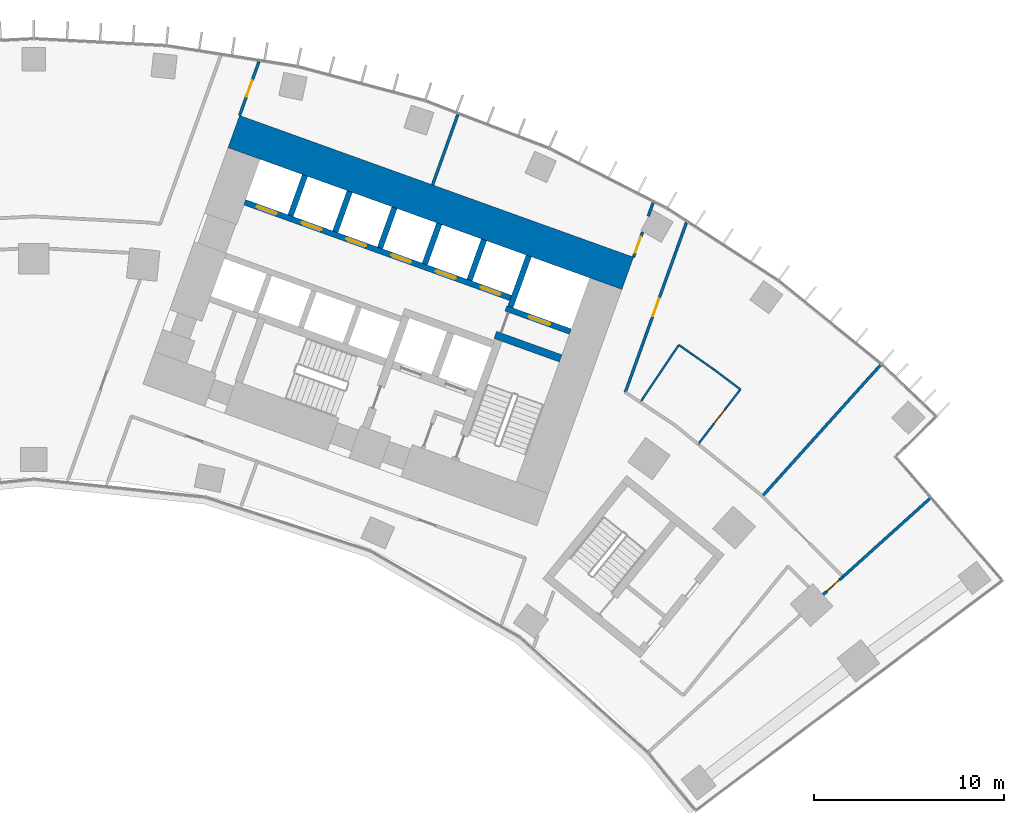
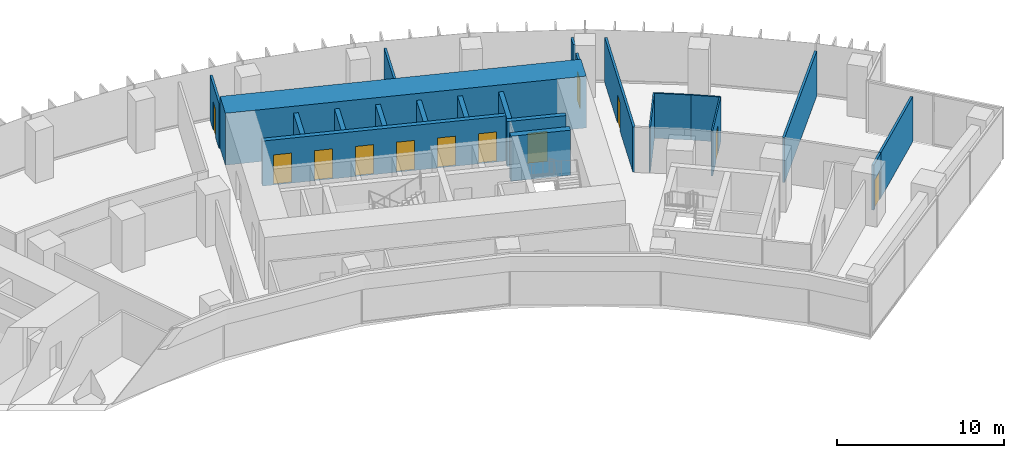
# One storey, part 21 of 24: 22 walls, 12 doors, 12 openings.
"""IFC4 building model written with IfcOpenShell, lengths in metres."""

from ifc_helpers import new_model, si_unit, direction, frame, frame_2d, origin, place, context, subcontext, project, spatial, rectangle, extrude, material, layer, layer_set, type_object, element, fill, save


model = new_model("IFC4")

# Units and contexts
model_context = context("Model", 3, precision=1e-05, world=origin(), true_north=direction((0.0, 1.0)))
body_context = subcontext(model_context, "Body", "Model", "MODEL_VIEW")
ifc_project = project(units=[si_unit("LENGTHUNIT", "METRE"), si_unit("AREAUNIT", "SQUARE_METRE"), si_unit("VOLUMEUNIT", "CUBIC_METRE"), si_unit("PLANEANGLEUNIT", "RADIAN"), si_unit("MASSUNIT", "GRAM", prefix="KILO")], contexts=[model_context])

# Site, building, storey
site_placement = place(None, origin())
site = spatial("IfcSite", under=ifc_project, at=site_placement, CompositionType="ELEMENT")
building_placement = place(site_placement, origin())
building = spatial("IfcBuilding", under=site, at=building_placement, Name="Stone Belt Terrace Tower", CompositionType="ELEMENT")
storey_placement = place(building_placement, frame((0.0, 0.0, 75.60009765625)))
storey = spatial("IfcBuildingStorey", under=building, at=storey_placement, Name="L18", CompositionType="ELEMENT", Elevation=75.60009765625)

# Wall
ifc_material_1 = material(Name="Concrete B80", Category="concrete")
ifc_layer_1 = layer(ifc_material_1, 1.800048828125)
ifc_layer_set_1 = layer_set([ifc_layer_1], Name="Core wall 1800 B80")
wall_type_1 = type_object("IfcWallType", Name="Core wall 1800 B80", PredefinedType="SHEAR", material=ifc_layer_set_1)
wall_1_placement = place(storey_placement, frame((10.509033203125, 61.685546875, 0.0), z_axis=(0.0, 0.0, 1.0), x_axis=(0.940922914687, -0.338620833112, 0.0)))
element("IfcWall", 1, at=wall_1_placement, inside=storey, type_object=wall_type_1, Name="Core B wall convex L18", PredefinedType="SHEAR", context=body_context, shape_type="SweptSolid", body=[
    extrude(rectangle(XDim=22.000244140625, YDim=1.800048828125, at=frame_2d((11.0, 0.0))), origin(), (0.0, 0.0, 1.0), 3.7998046875),
])

# Wall, opening, door
ifc_layer_2 = layer(ifc_material_1, 0.300048828125)
ifc_layer_set_2 = layer_set([ifc_layer_2], Name="Lift shaft wall 300")
wall_type_2 = type_object("IfcWallType", Name="Lift shaft wall 300", PredefinedType="SHEAR", material=ifc_layer_set_2)
wall_2_placement = place(storey_placement, frame((28.195068359375, 51.17578125, 0.0), z_axis=(0.0, 0.0, 1.0), x_axis=(-0.940901243567, 0.338681044427, 0.0)))
wall_2 = element("IfcWall", 2, at=wall_2_placement, inside=storey, type_object=wall_type_2, Name="Core B wall", PredefinedType="SHEAR", context=body_context, shape_type="SweptSolid", body=[
    extrude(rectangle(XDim=3.599853515625, YDim=0.300048828125, at=frame_2d((1.7998046875, 0.0))), origin(), (0.0, 0.0, 1.0), 3.2998046875),
])
opening_1_placement = place(wall_2_placement, frame((1.1201171875, 0.0, 0.0)))
opening_1 = element("IfcOpeningElement", 3, at=opening_1_placement, cuts=wall_2, Name="Opening L18-LD18", PredefinedType="OPENING", context=body_context, shape_type="SweptSolid", body=[
    extrude(rectangle(XDim=1.199951171875, YDim=2.199951171875, at=frame_2d((0.60009765625, 1.10009765625))), frame((0.0, 0.159912109375, 0.0), z_axis=(0.0, -1.0, 0.0), x_axis=(1.0, 0.0, 0.0)), (0.0, 0.0, 1.0), 0.320068359375),
])
ifc_material_2 = material(Name="Stainless steel door leaf", Category="steel")
door_type_1 = type_object("IfcDoorType", Name="Landing door 1200", OperationType="SLIDING_TO_LEFT", PredefinedType="DOOR", material=ifc_material_2)
door_1_placement = place(opening_1_placement, origin())
door_1 = element("IfcDoor", 4, at=door_1_placement, inside=storey, type_object=door_type_1, Name="Landing door SV1 core B", OperationType="SLIDING_TO_LEFT", OverallHeight=2.199951171875, OverallWidth=1.199951171875, PredefinedType="DOOR", context=body_context, shape_type="SweptSolid", body=[
    extrude(rectangle(XDim=1.199951171875, YDim=2.199951171875, at=frame_2d((0.60009765625, 1.10009765625))), frame((0.0, 0.02490234375, 0.0), z_axis=(0.0, -1.0, 0.0), x_axis=(1.0, 0.0, 0.0)), (0.0, 0.0, 1.0), 0.050048828125),
])
fill(opening_1, door_1)

# Wall
wall_3_placement = place(storey_placement, frame((25.046875, 52.46826171875, 0.0), z_axis=(0.0, 0.0, 1.0), x_axis=(0.338549588058, 0.940948551423, 0.0)))
element("IfcWall", 5, at=wall_3_placement, inside=storey, type_object=wall_type_2, Name="Core B wall", PredefinedType="SHEAR", context=body_context, shape_type="SweptSolid", body=[
    extrude(rectangle(XDim=2.849853515625, YDim=0.300048828125, at=frame_2d((1.4248046875, 0.0))), origin(), (0.0, 0.0, 1.0), 3.2998046875),
])

# Wall, openings, doors
wall_4_placement = place(storey_placement, frame((25.05810546875, 52.9423828125, 0.0), z_axis=(0.0, 0.0, 1.0), x_axis=(-0.940918215764, 0.338633889685, 0.0)))
wall_4 = element("IfcWall", 6, at=wall_4_placement, inside=storey, type_object=wall_type_2, Name="Core B wall", PredefinedType="SHEAR", context=body_context, shape_type="SweptSolid", body=[
    extrude(rectangle(XDim=14.850341796875, YDim=0.300048828125, at=frame_2d((7.42529296875, 0.0))), origin(), (0.0, 0.0, 1.0), 3.2998046875),
])
opening_2_placement = place(wall_4_placement, frame((0.570068359375, 0.0, 0.0)))
opening_2 = element("IfcOpeningElement", 7, at=opening_2_placement, cuts=wall_4, Name="Opening L18-LD10", PredefinedType="OPENING", context=body_context, shape_type="SweptSolid", body=[
    extrude(rectangle(XDim=1.10009765625, YDim=2.199951171875, at=frame_2d((0.550048828125, 1.10009765625))), frame((0.0, 0.159912109375, 0.0), z_axis=(0.0, -1.0, 0.0), x_axis=(1.0, 0.0, 0.0)), (0.0, 0.0, 1.0), 0.320068359375),
])
opening_3_placement = place(wall_4_placement, frame((3.070068359375, 0.0, 0.0)))
opening_3 = element("IfcOpeningElement", 8, at=opening_3_placement, cuts=wall_4, Name="Opening L18-LD11", PredefinedType="OPENING", context=body_context, shape_type="SweptSolid", body=[
    extrude(rectangle(XDim=1.10009765625, YDim=2.199951171875, at=frame_2d((0.550048828125, 1.10009765625))), frame((0.0, 0.159912109375, 0.0), z_axis=(0.0, -1.0, 0.0), x_axis=(1.0, 0.0, 0.0)), (0.0, 0.0, 1.0), 0.320068359375),
])
opening_4_placement = place(wall_4_placement, frame((5.570068359375, 0.0, 0.0)))
opening_4 = element("IfcOpeningElement", 9, at=opening_4_placement, cuts=wall_4, Name="Opening L18-LD12", PredefinedType="OPENING", context=body_context, shape_type="SweptSolid", body=[
    extrude(rectangle(XDim=1.10009765625, YDim=2.199951171875, at=frame_2d((0.550048828125, 1.10009765625))), frame((0.0, 0.159912109375, 0.0), z_axis=(0.0, -1.0, 0.0), x_axis=(1.0, 0.0, 0.0)), (0.0, 0.0, 1.0), 0.320068359375),
])
opening_5_placement = place(wall_4_placement, frame((8.070068359375, 0.0, 0.0)))
opening_5 = element("IfcOpeningElement", 10, at=opening_5_placement, cuts=wall_4, Name="Opening L18-LD13", PredefinedType="OPENING", context=body_context, shape_type="SweptSolid", body=[
    extrude(rectangle(XDim=1.10009765625, YDim=2.199951171875, at=frame_2d((0.550048828125, 1.10009765625))), frame((0.0, 0.159912109375, 0.0), z_axis=(0.0, -1.0, 0.0), x_axis=(1.0, 0.0, 0.0)), (0.0, 0.0, 1.0), 0.320068359375),
])
opening_6_placement = place(wall_4_placement, frame((10.570068359375, 0.0, 0.0)))
opening_6 = element("IfcOpeningElement", 11, at=opening_6_placement, cuts=wall_4, Name="Opening L18-LD14", PredefinedType="OPENING", context=body_context, shape_type="SweptSolid", body=[
    extrude(rectangle(XDim=1.10009765625, YDim=2.199951171875, at=frame_2d((0.550048828125, 1.10009765625))), frame((0.0, 0.159912109375, 0.0), z_axis=(0.0, -1.0, 0.0), x_axis=(1.0, 0.0, 0.0)), (0.0, 0.0, 1.0), 0.320068359375),
])
opening_7_placement = place(wall_4_placement, frame((13.070068359375, 0.0, 0.0)))
opening_7 = element("IfcOpeningElement", 12, at=opening_7_placement, cuts=wall_4, Name="Opening L18-LD15", PredefinedType="OPENING", context=body_context, shape_type="SweptSolid", body=[
    extrude(rectangle(XDim=1.10009765625, YDim=2.199951171875, at=frame_2d((0.550048828125, 1.10009765625))), frame((0.0, 0.159912109375, 0.0), z_axis=(0.0, -1.0, 0.0), x_axis=(1.0, 0.0, 0.0)), (0.0, 0.0, 1.0), 0.320068359375),
])
door_type_2 = type_object("IfcDoorType", Name="Landing door 1100", OperationType="SLIDING_TO_LEFT", PredefinedType="DOOR", material=ifc_material_2)
door_2_placement = place(opening_2_placement, origin())
door_2 = element("IfcDoor", 13, at=door_2_placement, inside=storey, type_object=door_type_2, Name="Landing door LR1 core B", OperationType="SLIDING_TO_LEFT", OverallHeight=2.199951171875, OverallWidth=1.10009765625, PredefinedType="DOOR", context=body_context, shape_type="SweptSolid", body=[
    extrude(rectangle(XDim=1.10009765625, YDim=2.199951171875, at=frame_2d((0.550048828125, 1.10009765625))), frame((0.0, 0.02490234375, 0.0), z_axis=(0.0, -1.0, 0.0), x_axis=(1.0, 0.0, 0.0)), (0.0, 0.0, 1.0), 0.050048828125),
])
fill(opening_2, door_2)
door_3_placement = place(opening_3_placement, origin())
door_3 = element("IfcDoor", 14, at=door_3_placement, inside=storey, type_object=door_type_2, Name="Landing door LR2 core B", OperationType="SLIDING_TO_LEFT", OverallHeight=2.199951171875, OverallWidth=1.10009765625, PredefinedType="DOOR", context=body_context, shape_type="SweptSolid", body=[
    extrude(rectangle(XDim=1.10009765625, YDim=2.199951171875, at=frame_2d((0.550048828125, 1.10009765625))), frame((0.0, 0.02490234375, 0.0), z_axis=(0.0, -1.0, 0.0), x_axis=(1.0, 0.0, 0.0)), (0.0, 0.0, 1.0), 0.050048828125),
])
fill(opening_3, door_3)
door_4_placement = place(opening_4_placement, origin())
door_4 = element("IfcDoor", 15, at=door_4_placement, inside=storey, type_object=door_type_2, Name="Landing door LR3 core B", OperationType="SLIDING_TO_LEFT", OverallHeight=2.199951171875, OverallWidth=1.10009765625, PredefinedType="DOOR", context=body_context, shape_type="SweptSolid", body=[
    extrude(rectangle(XDim=1.10009765625, YDim=2.199951171875, at=frame_2d((0.550048828125, 1.10009765625))), frame((0.0, 0.02490234375, 0.0), z_axis=(0.0, -1.0, 0.0), x_axis=(1.0, 0.0, 0.0)), (0.0, 0.0, 1.0), 0.050048828125),
])
fill(opening_4, door_4)
door_5_placement = place(opening_5_placement, origin())
door_5 = element("IfcDoor", 16, at=door_5_placement, inside=storey, type_object=door_type_2, Name="Landing door LR4 core B", OperationType="SLIDING_TO_LEFT", OverallHeight=2.199951171875, OverallWidth=1.10009765625, PredefinedType="DOOR", context=body_context, shape_type="SweptSolid", body=[
    extrude(rectangle(XDim=1.10009765625, YDim=2.199951171875, at=frame_2d((0.550048828125, 1.10009765625))), frame((0.0, 0.02490234375, 0.0), z_axis=(0.0, -1.0, 0.0), x_axis=(1.0, 0.0, 0.0)), (0.0, 0.0, 1.0), 0.050048828125),
])
fill(opening_5, door_5)
door_6_placement = place(opening_6_placement, origin())
door_6 = element("IfcDoor", 17, at=door_6_placement, inside=storey, type_object=door_type_2, Name="Landing door LR5 core B", OperationType="SLIDING_TO_LEFT", OverallHeight=2.199951171875, OverallWidth=1.10009765625, PredefinedType="DOOR", context=body_context, shape_type="SweptSolid", body=[
    extrude(rectangle(XDim=1.10009765625, YDim=2.199951171875, at=frame_2d((0.550048828125, 1.10009765625))), frame((0.0, 0.02490234375, 0.0), z_axis=(0.0, -1.0, 0.0), x_axis=(1.0, 0.0, 0.0)), (0.0, 0.0, 1.0), 0.050048828125),
])
fill(opening_6, door_6)
door_7_placement = place(opening_7_placement, origin())
door_7 = element("IfcDoor", 18, at=door_7_placement, inside=storey, type_object=door_type_2, Name="Landing door LR6 core B", OperationType="SLIDING_TO_LEFT", OverallHeight=2.199951171875, OverallWidth=1.10009765625, PredefinedType="DOOR", context=body_context, shape_type="SweptSolid", body=[
    extrude(rectangle(XDim=1.10009765625, YDim=2.199951171875, at=frame_2d((0.550048828125, 1.10009765625))), frame((0.0, 0.02490234375, 0.0), z_axis=(0.0, -1.0, 0.0), x_axis=(1.0, 0.0, 0.0)), (0.0, 0.0, 1.0), 0.050048828125),
])
fill(opening_7, door_7)

# Walls
wall_5_placement = place(storey_placement, frame((22.897705078125, 53.87939453125, 0.0), z_axis=(0.0, 0.0, 1.0), x_axis=(0.338535034312, 0.940953787677, 0.0)))
element("IfcWall", 19, at=wall_5_placement, inside=storey, type_object=wall_type_2, Name="Core B wall", PredefinedType="SHEAR", context=body_context, shape_type="SweptSolid", body=[
    extrude(rectangle(XDim=2.25, YDim=0.300048828125, at=frame_2d((1.125, 0.0))), origin(), (0.0, 0.0, 1.0), 3.2998046875),
])
wall_6_placement = place(storey_placement, frame((20.54541015625, 54.72607421875, 0.0), z_axis=(0.0, 0.0, 1.0), x_axis=(0.338569601369, 0.940941350472, 0.0)))
element("IfcWall", 20, at=wall_6_placement, inside=storey, type_object=wall_type_2, Name="Core B wall", PredefinedType="SHEAR", context=body_context, shape_type="SweptSolid", body=[
    extrude(rectangle(XDim=2.249755859375, YDim=0.300048828125, at=frame_2d((1.125, 0.0))), origin(), (0.0, 0.0, 1.0), 3.2998046875),
])
wall_7_placement = place(storey_placement, frame((18.193115234375, 55.572509765625, 0.0), z_axis=(0.0, 0.0, 1.0), x_axis=(0.338535034312, 0.940953787677, 0.0)))
element("IfcWall", 21, at=wall_7_placement, inside=storey, type_object=wall_type_2, Name="Core B wall", PredefinedType="SHEAR", context=body_context, shape_type="SweptSolid", body=[
    extrude(rectangle(XDim=2.25, YDim=0.300048828125, at=frame_2d((1.125, 0.0))), origin(), (0.0, 0.0, 1.0), 3.2998046875),
])
wall_8_placement = place(storey_placement, frame((15.8408203125, 56.419189453125, 0.0), z_axis=(0.0, 0.0, 1.0), x_axis=(0.338569601369, 0.940941350472, 0.0)))
element("IfcWall", 22, at=wall_8_placement, inside=storey, type_object=wall_type_2, Name="Core B wall", PredefinedType="SHEAR", context=body_context, shape_type="SweptSolid", body=[
    extrude(rectangle(XDim=2.249755859375, YDim=0.300048828125, at=frame_2d((1.125, 0.0))), origin(), (0.0, 0.0, 1.0), 3.2998046875),
])
wall_9_placement = place(storey_placement, frame((13.48828125, 57.265625, 0.0), z_axis=(0.0, 0.0, 1.0), x_axis=(0.338631098537, 0.940919220286, 0.0)))
element("IfcWall", 23, at=wall_9_placement, inside=storey, type_object=wall_type_2, Name="Core B wall", PredefinedType="SHEAR", context=body_context, shape_type="SweptSolid", body=[
    extrude(rectangle(XDim=2.250244140625, YDim=0.300048828125, at=frame_2d((1.125, 0.0))), origin(), (0.0, 0.0, 1.0), 3.2998046875),
])

# Wall, opening, door
ifc_material_3 = material(Name="Gypsum board partition")
ifc_layer_3 = layer(ifc_material_3, 0.10009765625)
ifc_layer_set_3 = layer_set([ifc_layer_3], Name="PARTITION 100")
wall_type_3 = type_object("IfcWallType", Name="PARTITION 100", PredefinedType="PARTITIONING", material=ifc_layer_set_3)
wall_10_placement = place(storey_placement, frame((34.9150390625, 45.260009765625, 0.0), z_axis=(0.0, 0.0, 1.0), x_axis=(0.610816683872, 0.791772049711, 0.0)))
wall_10 = element("IfcWall", 24, at=wall_10_placement, inside=storey, type_object=wall_type_3, Name="L18/wall/i070", PredefinedType="PARTITIONING", context=body_context, shape_type="SweptSolid", body=[
    extrude(rectangle(XDim=3.635986328125, YDim=0.10009765625, at=frame_2d((1.81787109375, 0.0))), origin(), (0.0, 0.0, 1.0), 3.2998046875),
])
opening_8_placement = place(wall_10_placement, frame((1.3681640625, 0.0, 0.0)))
opening_8 = element("IfcOpeningElement", 25, at=opening_8_placement, cuts=wall_10, Name="Opening D-A5-22", PredefinedType="OPENING", context=body_context, shape_type="SweptSolid", body=[
    extrude(rectangle(XDim=0.89990234375, YDim=2.10009765625, at=frame_2d((0.449951171875, 1.050048828125))), frame((0.0, 0.06005859375, 0.0), z_axis=(0.0, -1.0, 0.0), x_axis=(1.0, 0.0, 0.0)), (0.0, 0.0, 1.0), 0.1201171875),
])
ifc_material_4 = material(Name="Timber door leaf", Category="wood")
door_type_3 = type_object("IfcDoorType", Name="OFFICE DOOR 900 X 2100", OperationType="NOTDEFINED", PredefinedType="DOOR", material=ifc_material_4)
door_8_placement = place(opening_8_placement, origin())
door_8 = element("IfcDoor", 26, at=door_8_placement, inside=storey, type_object=door_type_3, Name="L18/door/i22", OperationType="SINGLE_SWING_RIGHT", OverallHeight=2.10009765625, OverallWidth=0.89990234375, PredefinedType="DOOR", context=body_context, shape_type="SweptSolid", body=[
    extrude(rectangle(XDim=0.89990234375, YDim=2.10009765625, at=frame_2d((0.449951171875, 1.050048828125))), frame((0.0, 0.02490234375, 0.0), z_axis=(0.0, -1.0, 0.0), x_axis=(1.0, 0.0, 0.0)), (0.0, 0.0, 1.0), 0.050048828125),
])
fill(opening_8, door_8)

# Walls
wall_11_placement = place(storey_placement, frame((37.135986328125, 48.138916015625, 0.0), z_axis=(0.0, 0.0, 1.0), x_axis=(-0.800502301886, 0.599329679455, 0.0)))
element("IfcWall", 27, at=wall_11_placement, inside=storey, type_object=wall_type_3, Name="L18/wall/i071", PredefinedType="PARTITIONING", context=body_context, shape_type="SweptSolid", body=[
    extrude(rectangle(XDim=1.748779296875, YDim=0.10009765625, at=frame_2d((0.87451171875, 0.0))), origin(), (0.0, 0.0, 1.0), 3.2998046875),
])
wall_12_placement = place(storey_placement, frame((35.736083984375, 49.18701171875, 0.0), z_axis=(0.0, 0.0, 1.0), x_axis=(-0.819829050149, 0.572608355276, 0.0)))
element("IfcWall", 28, at=wall_12_placement, inside=storey, type_object=wall_type_3, Name="L18/wall/i072", PredefinedType="PARTITIONING", context=body_context, shape_type="SweptSolid", body=[
    extrude(rectangle(XDim=2.24560546875, YDim=0.10009765625, at=frame_2d((1.122802734375, 0.0))), origin(), (0.0, 0.0, 1.0), 3.2998046875),
])
wall_13_placement = place(storey_placement, frame((33.89501953125, 50.472900390625, 0.0), z_axis=(0.0, 0.0, 1.0), x_axis=(-0.557402346669, -0.830242509107, 0.0)))
element("IfcWall", 29, at=wall_13_placement, inside=storey, type_object=wall_type_3, Name="L18/wall/i073", PredefinedType="PARTITIONING", context=body_context, shape_type="SweptSolid", body=[
    extrude(rectangle(XDim=3.6240234375, YDim=0.10009765625, at=frame_2d((1.81201171875, 0.0))), origin(), (0.0, 0.0, 1.0), 3.2998046875),
])

# Wall, opening, door
ifc_layer_4 = layer(ifc_material_3, 0.14990234375)
ifc_layer_set_4 = layer_set([ifc_layer_4], Name="PARTITION 150 EI 60")
wall_type_4 = type_object("IfcWallType", Name="PARTITION 150 EI 60", PredefinedType="PARTITIONING", material=ifc_layer_set_4)
wall_14_placement = place(storey_placement, frame((11.831787109375, 65.361083984375, 0.0), z_axis=(0.0, 0.0, 1.0), x_axis=(-0.338526810165, -0.940956746508, 0.0)))
wall_14 = element("IfcWall", 30, at=wall_14_placement, inside=storey, type_object=wall_type_4, Name="L18/wall/i018", PredefinedType="PARTITIONING", context=body_context, shape_type="SweptSolid", body=[
    extrude(rectangle(XDim=3.006591796875, YDim=0.14990234375, at=frame_2d((1.50341796875, 0.0))), origin(), (0.0, 0.0, 1.0), 3.2998046875),
])
opening_9_placement = place(wall_14_placement, frame((1.05322265625, 0.0, 0.0)))
opening_9 = element("IfcOpeningElement", 31, at=opening_9_placement, cuts=wall_14, Name="Opening D-A5-07", PredefinedType="OPENING", context=body_context, shape_type="SweptSolid", body=[
    extrude(rectangle(XDim=0.89990234375, YDim=2.10009765625, at=frame_2d((0.449951171875, 1.050048828125))), frame((0.0, 0.0849609375, 0.0), z_axis=(0.0, -1.0, 0.0), x_axis=(1.0, 0.0, 0.0)), (0.0, 0.0, 1.0), 0.169921875),
])
door_9_placement = place(opening_9_placement, origin())
door_9 = element("IfcDoor", 32, at=door_9_placement, inside=storey, type_object=door_type_3, Name="L18/door/i07", OperationType="SINGLE_SWING_RIGHT", OverallHeight=2.10009765625, OverallWidth=0.89990234375, PredefinedType="DOOR", context=body_context, shape_type="SweptSolid", body=[
    extrude(rectangle(XDim=0.89990234375, YDim=2.10009765625, at=frame_2d((0.449951171875, 1.050048828125))), frame((0.0, 0.02490234375, 0.0), z_axis=(0.0, -1.0, 0.0), x_axis=(1.0, 0.0, 0.0)), (0.0, 0.0, 1.0), 0.050048828125),
])
fill(opening_9, door_9)

wall_15_placement = place(storey_placement, frame((31.513916015625, 55.0830078125, 0.0), z_axis=(0.0, 0.0, 1.0), x_axis=(0.338861945182, 0.940836107995, 0.0)))
wall_15 = element("IfcWall", 33, at=wall_15_placement, inside=storey, type_object=wall_type_4, Name="L18/wall/i022", PredefinedType="PARTITIONING", context=body_context, shape_type="SweptSolid", body=[
    extrude(rectangle(XDim=1.3955078125, YDim=0.14990234375, at=frame_2d((0.69775390625, 0.0))), origin(), (0.0, 0.0, 1.0), 3.2998046875),
])
opening_10_placement = place(wall_15_placement, frame((0.247802734375, 0.0, 0.0)))
opening_10 = element("IfcOpeningElement", 34, at=opening_10_placement, cuts=wall_15, Name="Opening D-A5-08", PredefinedType="OPENING", context=body_context, shape_type="SweptSolid", body=[
    extrude(rectangle(XDim=0.89990234375, YDim=2.10009765625, at=frame_2d((0.449951171875, 1.050048828125))), frame((0.0, 0.0849609375, 0.0), z_axis=(0.0, -1.0, 0.0), x_axis=(1.0, 0.0, 0.0)), (0.0, 0.0, 1.0), 0.169921875),
])
door_10_placement = place(opening_10_placement, origin())
door_10 = element("IfcDoor", 35, at=door_10_placement, inside=storey, type_object=door_type_3, Name="L18/door/i08", OperationType="SINGLE_SWING_RIGHT", OverallHeight=2.10009765625, OverallWidth=0.89990234375, PredefinedType="DOOR", context=body_context, shape_type="SweptSolid", body=[
    extrude(rectangle(XDim=0.89990234375, YDim=2.10009765625, at=frame_2d((0.449951171875, 1.050048828125))), frame((0.0, 0.02490234375, 0.0), z_axis=(0.0, -1.0, 0.0), x_axis=(1.0, 0.0, 0.0)), (0.0, 0.0, 1.0), 0.050048828125),
])
fill(opening_10, door_10)

# Wall
wall_16_placement = place(storey_placement, frame((32.290283203125, 57.238525390625, 0.0), z_axis=(0.0, 0.0, 1.0), x_axis=(0.338960201827, 0.940800712998, 0.0)))
element("IfcWall", 36, at=wall_16_placement, inside=storey, type_object=wall_type_4, Name="L18/wall/i023", PredefinedType="PARTITIONING", context=body_context, shape_type="SweptSolid", body=[
    extrude(rectangle(XDim=0.754150390625, YDim=0.14990234375, at=frame_2d((0.376953125, 0.0))), origin(), (0.0, 0.0, 1.0), 3.2998046875),
])

# Wall, opening, door
wall_17_placement = place(storey_placement, frame((34.298095703125, 56.91015625, 0.0), z_axis=(0.0, 0.0, 1.0), x_axis=(-0.338747713831, -0.940877242989, 0.0)))
wall_17 = element("IfcWall", 37, at=wall_17_placement, inside=storey, type_object=wall_type_4, Name="L18/wall/i026", PredefinedType="PARTITIONING", context=body_context, shape_type="SweptSolid", body=[
    extrude(rectangle(XDim=9.48828125, YDim=0.14990234375, at=frame_2d((4.744140625, 0.0))), origin(), (0.0, 0.0, 1.0), 3.2998046875),
])
opening_11_placement = place(wall_17_placement, frame((4.243896484375, 0.0, 0.0)))
opening_11 = element("IfcOpeningElement", 38, at=opening_11_placement, cuts=wall_17, Name="Opening D-A5-21", PredefinedType="OPENING", context=body_context, shape_type="SweptSolid", body=[
    extrude(rectangle(XDim=1.0, YDim=2.10009765625, at=frame_2d((0.5, 1.050048828125))), frame((0.0, 0.0849609375, 0.0), z_axis=(0.0, -1.0, 0.0), x_axis=(1.0, 0.0, 0.0)), (0.0, 0.0, 1.0), 0.169921875),
])
ifc_material_5 = material(Name="Timber fire door leaf", Category="wood")
door_type_4 = type_object("IfcDoorType", Name="TENANCY ENTRANCE DOOR 1000 X 2100", OperationType="NOTDEFINED", PredefinedType="DOOR", material=ifc_material_5)
door_11_placement = place(opening_11_placement, origin())
door_11 = element("IfcDoor", 39, at=door_11_placement, inside=storey, type_object=door_type_4, Name="L18/door/i21", OperationType="SINGLE_SWING_RIGHT", OverallHeight=2.10009765625, OverallWidth=1.0, PredefinedType="DOOR", context=body_context, shape_type="SweptSolid", body=[
    extrude(rectangle(XDim=1.0, YDim=2.10009765625, at=frame_2d((0.5, 1.050048828125))), frame((0.0, 0.02490234375, 0.0), z_axis=(0.0, -1.0, 0.0), x_axis=(1.0, 0.0, 0.0)), (0.0, 0.0, 1.0), 0.050048828125),
])
fill(opening_11, door_11)

# Wall
wall_18_placement = place(storey_placement, frame((22.283935546875, 62.5791015625, 0.0), z_axis=(0.0, 0.0, 1.0), x_axis=(-0.338552193267, -0.940947614075, 0.0)))
element("IfcWall", 40, at=wall_18_placement, inside=storey, type_object=wall_type_4, Name="L18/wall/i030", PredefinedType="PARTITIONING", context=body_context, shape_type="SweptSolid", body=[
    extrude(rectangle(XDim=3.927978515625, YDim=0.14990234375, at=frame_2d((1.9638671875, 0.0))), origin(), (0.0, 0.0, 1.0), 3.2998046875),
])

# Wall, opening, door
wall_19_placement = place(storey_placement, frame((42.530029296875, 38.294921875, 0.0), z_axis=(0.0, 0.0, 1.0), x_axis=(-0.742938582599, -0.669359591316, 0.0)))
wall_19 = element("IfcWall", 41, at=wall_19_placement, inside=storey, type_object=wall_type_4, Name="L18/wall/i059", PredefinedType="PARTITIONING", context=body_context, shape_type="SweptSolid", body=[
    extrude(rectangle(XDim=1.400146484375, YDim=0.14990234375, at=frame_2d((0.7001953125, 0.0))), origin(), (0.0, 0.0, 1.0), 3.2998046875),
])
opening_12_placement = place(wall_19_placement, frame((0.250244140625, 0.0, 0.0)))
opening_12 = element("IfcOpeningElement", 42, at=opening_12_placement, cuts=wall_19, Name="Opening D-A5-19", PredefinedType="OPENING", context=body_context, shape_type="SweptSolid", body=[
    extrude(rectangle(XDim=0.89990234375, YDim=2.10009765625, at=frame_2d((0.449951171875, 1.050048828125))), frame((0.0, 0.0849609375, 0.0), z_axis=(0.0, -1.0, 0.0), x_axis=(1.0, 0.0, 0.0)), (0.0, 0.0, 1.0), 0.169921875),
])
door_type_5 = type_object("IfcDoorType", Name="TENANCY ENTRANCE DOOR 900 X 2100", OperationType="NOTDEFINED", PredefinedType="DOOR", material=ifc_material_5)
door_12_placement = place(opening_12_placement, origin())
door_12 = element("IfcDoor", 43, at=door_12_placement, inside=storey, type_object=door_type_5, Name="L18/door/i19", OperationType="SINGLE_SWING_RIGHT", OverallHeight=2.10009765625, OverallWidth=0.89990234375, PredefinedType="DOOR", context=body_context, shape_type="SweptSolid", body=[
    extrude(rectangle(XDim=0.89990234375, YDim=2.10009765625, at=frame_2d((0.449951171875, 1.050048828125))), frame((0.0, 0.02490234375, 0.0), z_axis=(0.0, -1.0, 0.0), x_axis=(1.0, 0.0, 0.0)), (0.0, 0.0, 1.0), 0.050048828125),
])
fill(opening_12, door_12)

# Walls
wall_20_placement = place(storey_placement, frame((42.52197265625, 38.287109375, 0.0), z_axis=(0.0, 0.0, 1.0), x_axis=(0.743096733758, 0.669184013765, 0.0)))
element("IfcWall", 44, at=wall_20_placement, inside=storey, type_object=wall_type_4, Name="L18/wall/i061", PredefinedType="PARTITIONING", context=body_context, shape_type="SweptSolid", body=[
    extrude(rectangle(XDim=6.150390625, YDim=0.14990234375, at=frame_2d((3.0751953125, 0.0))), origin(), (0.0, 0.0, 1.0), 3.2998046875),
])
wall_21_placement = place(storey_placement, frame((44.496826171875, 49.41943359375, 0.0), z_axis=(0.0, 0.0, 1.0), x_axis=(-0.669060704206, -0.743207759706, 0.0)))
element("IfcWall", 45, at=wall_21_placement, inside=storey, type_object=wall_type_4, Name="L18/wall/i074", PredefinedType="PARTITIONING", context=body_context, shape_type="SweptSolid", body=[
    extrude(rectangle(XDim=9.275390625, YDim=0.14990234375, at=frame_2d((4.6376953125, 0.0))), origin(), (0.0, 0.0, 1.0), 3.2998046875),
])
ifc_layer_5 = layer(ifc_material_1, 0.39990234375)
ifc_layer_set_5 = layer_set([ifc_layer_5], Name="Stair enclosure wall 400")
wall_type_5 = type_object("IfcWallType", Name="Stair enclosure wall 400", PredefinedType="SHEAR", material=ifc_layer_set_5)
wall_22_placement = place(storey_placement, frame((27.687255859375, 49.764404296875, 0.0), z_axis=(0.0, 0.0, 1.0), x_axis=(-0.940918954884, 0.338631835981, 0.0)))
element("IfcWall", 46, at=wall_22_placement, inside=storey, type_object=wall_type_5, Name="Core B wall", PredefinedType="SHEAR", context=body_context, shape_type="SweptSolid", body=[
    extrude(rectangle(XDim=3.650146484375, YDim=0.39990234375, at=frame_2d((1.8251953125, 0.0))), origin(), (0.0, 0.0, 1.0), 3.2998046875),
])

save(model, "model.ifc")
